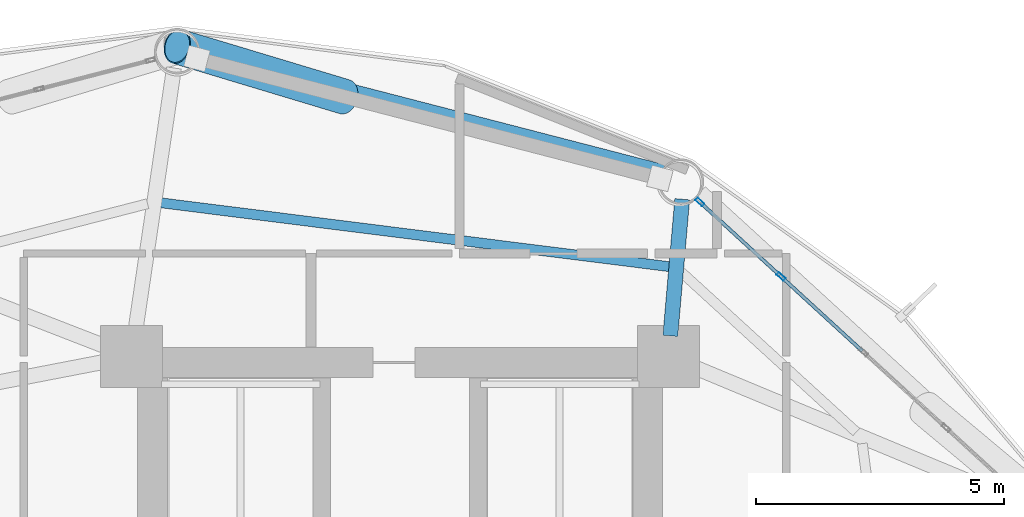
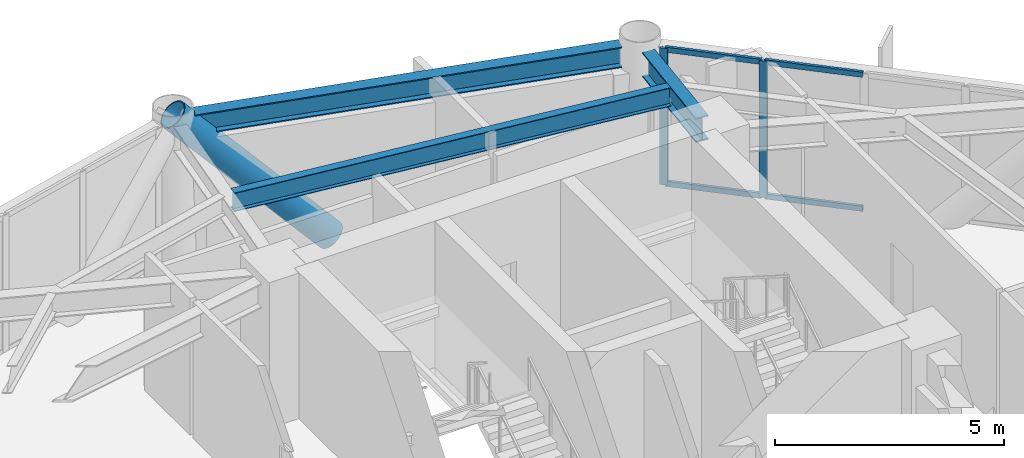
# One storey, part 19 of 25: 7 members, 3 beams, 1 element without a shape of its own.
"""IFC4 building model written with IfcOpenShell, lengths in metres."""

from ifc_helpers import new_model, si_unit, direction, frame, origin, origin_2d, place, context, subcontext, project, spatial, hollow_rectangle, hollow_circle, i_section, extrude, material, layer, layer_set, material_profile, profile_set, type_object, element, aggregate, save


model = new_model("IFC4")

# Units and contexts
model_context = context("Model", 3, precision=1e-05, world=origin(), true_north=direction((0.0, 1.0)))
body_context = subcontext(model_context, "Body", "Model", "MODEL_VIEW")
ifc_project = project(units=[si_unit("LENGTHUNIT", "METRE"), si_unit("AREAUNIT", "SQUARE_METRE"), si_unit("VOLUMEUNIT", "CUBIC_METRE"), si_unit("PLANEANGLEUNIT", "RADIAN"), si_unit("MASSUNIT", "GRAM", prefix="KILO")], contexts=[model_context])

# Site, building, storey
site_placement = place(None, origin())
site = spatial("IfcSite", under=ifc_project, at=site_placement, CompositionType="ELEMENT")
building_placement = place(site_placement, origin())
building = spatial("IfcBuilding", under=site, at=building_placement, Name="Varnakorn Sky Granary", CompositionType="ELEMENT")
storey_placement = place(building_placement, frame((0.0, 0.0, 35.39990234375)))
storey = spatial("IfcBuildingStorey", under=building, at=storey_placement, Name="L08", CompositionType="ELEMENT", Elevation=35.39990234375)

# Beams
ifc_material_1 = material(Name="Steel S355JR", Category="steel")
ifc_material_profile_1 = material_profile(ifc_material_1, i_section(OverallWidth=0.300048828125, OverallDepth=0.64990234375, WebThickness=0.01611328125, FlangeThickness=0.031005859375, at=origin_2d()), Name="HE 650 B")
ifc_profile_set_1 = profile_set([ifc_material_profile_1], Name="Steel S355JR")
beam_type_1 = type_object("IfcBeamType", Name="BM-RAD-Z1", PredefinedType="BEAM", material=ifc_profile_set_1)
beam_1_placement = place(storey_placement, frame((8.45654296875, 13.038330078125, 3.315185546875), z_axis=(0.086877003949, 0.996219045283, 0.0), x_axis=(-0.996219045283, 0.086877003949, 0.0)))
element("IfcBeam", 1, at=beam_1_placement, inside=storey, type_object=beam_type_1, Name="Radial Floor Girder RG03 L08", PredefinedType="BEAM", context=body_context, shape_type="SweptSolid", body=[
    extrude(i_section(OverallWidth=0.300048828125, OverallDepth=0.64990234375, WebThickness=0.01611328125, FlangeThickness=0.031005859375, at=origin_2d()), origin(), (0.0, 0.0, 1.0), 2.76806640625),
])
ifc_material_profile_2 = material_profile(ifc_material_1, i_section(OverallWidth=0.199951171875, OverallDepth=0.5, WebThickness=0.01025390625, FlangeThickness=0.01611328125, at=origin_2d()), Name="IPE 500")
ifc_profile_set_2 = profile_set([ifc_material_profile_2], Name="Steel S355JR")
beam_type_2 = type_object("IfcBeamType", Name="BM-SEC-Z1", PredefinedType="BEAM", material=ifc_profile_set_2)
beam_2_placement = place(storey_placement, frame((8.43798828125, 14.4345703125, 3.39013671875), z_axis=(-0.992206525403, 0.124604217214, 0.0), x_axis=(-0.124604217214, -0.992206525403, 0.0)))
element("IfcBeam", 2, at=beam_2_placement, inside=storey, type_object=beam_type_2, Name="Secondary Floor Chord Beam MSB03 L08", PredefinedType="BEAM", context=body_context, shape_type="SweptSolid", body=[
    extrude(i_section(OverallWidth=0.199951171875, OverallDepth=0.5, WebThickness=0.01025390625, FlangeThickness=0.01611328125, at=origin_2d()), origin(), (0.0, 0.0, 1.0), 10.34130859375),
])
ifc_material_profile_3 = material_profile(ifc_material_1, i_section(OverallWidth=0.300048828125, OverallDepth=0.550048828125, WebThickness=0.014892578125, FlangeThickness=0.029052734375, at=origin_2d()), Name="HE 550 B")
ifc_profile_set_3 = profile_set([ifc_material_profile_3], Name="Steel S355JR")
beam_type_3 = type_object("IfcBeamType", Name="BM-SPD-Z1", PredefinedType="SPANDREL", material=ifc_profile_set_3)
beam_3_placement = place(storey_placement, frame((8.3076171875, 16.346923828125, 3.364990234375), z_axis=(-0.968158811883, 0.250336803073, 0.0), x_axis=(-0.250336803073, -0.968158811883, 0.0)))
element("IfcBeam", 3, at=beam_3_placement, inside=storey, type_object=beam_type_3, Name="Perimeter Spandrel Ring Beam RB03 L08", PredefinedType="SPANDREL", context=body_context, shape_type="SweptSolid", body=[
    extrude(i_section(OverallWidth=0.300048828125, OverallDepth=0.550048828125, WebThickness=0.014892578125, FlangeThickness=0.029052734375, at=origin_2d()), origin(), (0.0, 0.0, 1.0), 9.688232421875),
])

# Curtain wall, members
ifc_material_2 = material(Name="Anodised Bronze Aluminium Alloy 6063-T6", Category="aluminium")
ifc_layer = layer(ifc_material_2, 0.18994140625, Name="Anodised Bronze Aluminium Alloy 6063-T6")
ifc_layer_set = layer_set([ifc_layer], Name="Anodised Bronze Aluminium Alloy 6063-T6")
curtain_wall_type = type_object("IfcCurtainWallType", Name="CW-FRM-1", PredefinedType="USERDEFINED", material=ifc_layer_set)
curtain_wall_placement = place(storey_placement, origin())
curtain_wall = element("IfcCurtainWall", 4, at=curtain_wall_placement, inside=storey, type_object=curtain_wall_type, Name="Unitised Curtain Wall CW3 CW-L08-B02", ObjectType="CURTAIN WALL", PredefinedType="USERDEFINED")
ifc_material_profile_4 = material_profile(ifc_material_2, hollow_rectangle(XDim=0.070068359375, YDim=0.18505859375, WallThickness=0.00390625, at=origin_2d()), Name="ALU MULL 70x185")
ifc_profile_set_4 = profile_set([ifc_material_profile_4], Name="Anodised Bronze Aluminium Alloy 6063-T6")
member_type_1 = type_object("IfcMemberType", Name="CW-FRM-1-MULL", PredefinedType="MULLION", material=ifc_profile_set_4)
member_1_placement = place(storey_placement, frame((9.05126953125, 15.740234375, 0.0), z_axis=(0.0, 0.0, 1.0), x_axis=(0.675878356504, 0.737013193375, 0.0)))
member_1 = element("IfcMember", 5, at=member_1_placement, type_object=member_type_1, Name="CW3 mullion 1", PredefinedType="MULLION", context=body_context, shape_type="SweptSolid", body=[
    extrude(hollow_rectangle(XDim=0.070068359375, YDim=0.18505859375, WallThickness=0.00390625, at=origin_2d()), origin(), (0.0, 0.0, 1.0), 3.64013671875),
])
member_2_placement = place(storey_placement, frame((10.691650390625, 14.236083984375, 0.0), z_axis=(0.0, 0.0, 1.0), x_axis=(0.675878356504, 0.737013193375, 0.0)))
member_2 = element("IfcMember", 6, at=member_2_placement, type_object=member_type_1, Name="CW3 mullion 2", PredefinedType="MULLION", context=body_context, shape_type="SweptSolid", body=[
    extrude(hollow_rectangle(XDim=0.070068359375, YDim=0.18505859375, WallThickness=0.00390625, at=origin_2d()), origin(), (0.0, 0.0, 1.0), 3.64013671875),
])
ifc_material_profile_5 = material_profile(ifc_material_2, hollow_rectangle(XDim=0.070068359375, YDim=0.139892578125, WallThickness=0.00341796875, at=origin_2d()), Name="ALU TRAN 70x140")
ifc_profile_set_5 = profile_set([ifc_material_profile_5], Name="Anodised Bronze Aluminium Alloy 6063-T6")
member_type_2 = type_object("IfcMemberType", Name="CW-FRM-1-TRAN", PredefinedType="USERDEFINED", material=ifc_profile_set_5)
member_3_placement = place(storey_placement, frame((9.0771484375, 15.716552734375, 0.03515625), z_axis=(0.737027182872, -0.675863101306, 0.0), x_axis=(0.675863101306, 0.737027182872, 0.0)))
member_3 = element("IfcMember", 7, at=member_3_placement, type_object=member_type_2, Name="CW3 transom 1.1", ObjectType="TRANSOM", PredefinedType="USERDEFINED", context=body_context, shape_type="SweptSolid", body=[
    extrude(hollow_rectangle(XDim=0.070068359375, YDim=0.139892578125, WallThickness=0.00341796875, at=origin_2d()), origin(), (0.0, 0.0, 1.0), 2.155517578125),
])
member_4_placement = place(storey_placement, frame((9.0771484375, 15.716552734375, 3.60498046875), z_axis=(0.737027182872, -0.675863101306, 0.0), x_axis=(0.675863101306, 0.737027182872, 0.0)))
member_4 = element("IfcMember", 8, at=member_4_placement, type_object=member_type_2, Name="CW3 transom 1.2", ObjectType="TRANSOM", PredefinedType="USERDEFINED", context=body_context, shape_type="SweptSolid", body=[
    extrude(hollow_rectangle(XDim=0.070068359375, YDim=0.139892578125, WallThickness=0.00341796875, at=origin_2d()), origin(), (0.0, 0.0, 1.0), 2.155517578125),
])
member_5_placement = place(storey_placement, frame((10.71728515625, 14.21240234375, 0.03515625), z_axis=(0.736982954511, -0.675911329066, 0.0), x_axis=(0.675911329066, 0.736982954511, 0.0)))
member_5 = element("IfcMember", 9, at=member_5_placement, type_object=member_type_2, Name="CW3 transom 2.1", ObjectType="TRANSOM", PredefinedType="USERDEFINED", context=body_context, shape_type="SweptSolid", body=[
    extrude(hollow_rectangle(XDim=0.070068359375, YDim=0.139892578125, WallThickness=0.00341796875, at=origin_2d()), origin(), (0.0, 0.0, 1.0), 2.190673828125),
])
member_6_placement = place(storey_placement, frame((10.71728515625, 14.21240234375, 3.60498046875), z_axis=(0.736982954511, -0.675911329066, 0.0), x_axis=(0.675911329066, 0.736982954511, 0.0)))
member_6 = element("IfcMember", 10, at=member_6_placement, type_object=member_type_2, Name="CW3 transom 2.2", ObjectType="TRANSOM", PredefinedType="USERDEFINED", context=body_context, shape_type="SweptSolid", body=[
    extrude(hollow_rectangle(XDim=0.070068359375, YDim=0.139892578125, WallThickness=0.00341796875, at=origin_2d()), origin(), (0.0, 0.0, 1.0), 2.190673828125),
])
aggregate(curtain_wall, [member_1, member_2, member_3, member_4, member_5, member_6])

# Member
ifc_material_3 = material(Name="Steel S460M", Category="steel")
ifc_material_profile_6 = material_profile(ifc_material_3, hollow_circle(Radius=0.35546875, WallThickness=0.02490234375, at=origin_2d()), Name="CHS 711x25")
ifc_profile_set_6 = profile_set([ifc_material_profile_6], Name="Steel S460M")
member_type_3 = type_object("IfcMemberType", Name="MB-DIAG-T0", PredefinedType="BRACE", material=ifc_profile_set_6)
member_7_placement = place(storey_placement, frame((1.881591796875, 17.864990234375, -0.1298828125), z_axis=(-0.654621502731, 0.197081197487, 0.729814832515), x_axis=(-0.288280078914, -0.957546132623, 0.0)))
element("IfcMember", 11, at=member_7_placement, inside=storey, type_object=member_type_3, Name="Perimeter CHS Diagrid Brace DG03 L08", PredefinedType="BRACE", context=body_context, shape_type="SweptSolid", body=[
    extrude(hollow_circle(Radius=0.35546875, WallThickness=0.02490234375, at=origin_2d()), origin(), (0.0, 0.0, 1.0), 5.165771484375),
])

save(model, "model.ifc")
